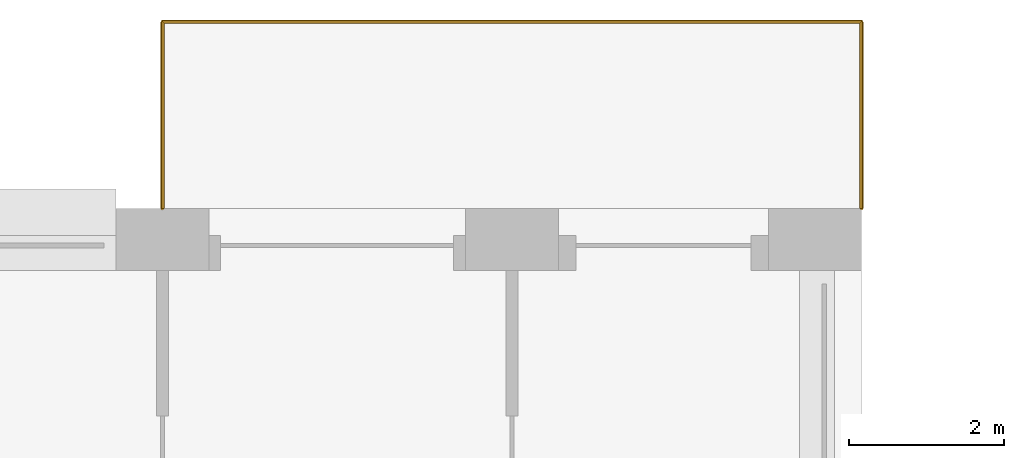
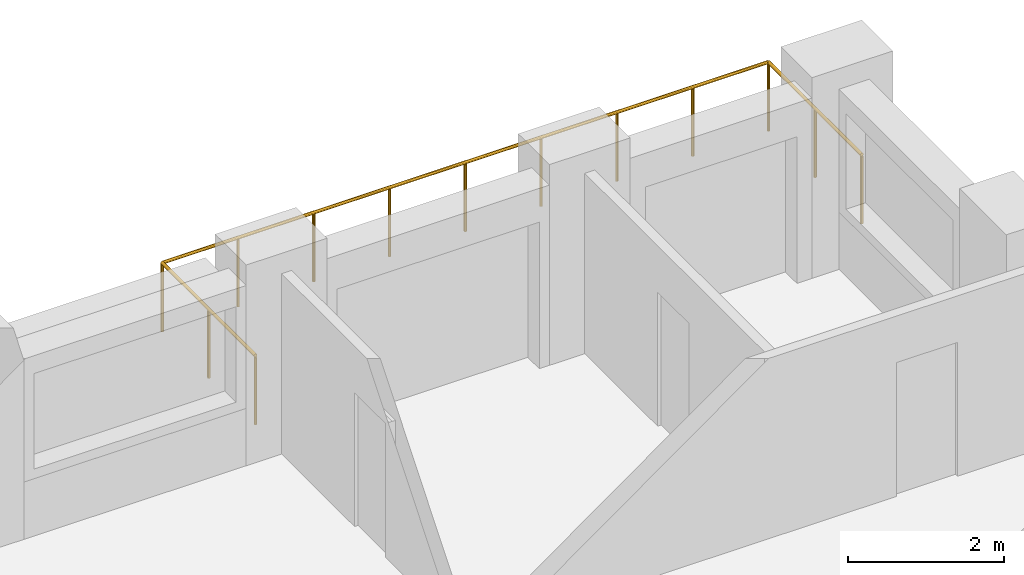
# One storey, part 21 of 21: 1 railing.
"""IFC4 building model written with IfcOpenShell, lengths in metres."""

import ifcopenshell
import ifcopenshell.guid

model = None  # the IFC model being written
_history = None  # IfcOwnerHistory: only IFC2X3 demands one
_inside = {}  # id of a spatial element -> (the spatial element, [elements in it])
_under = {}  # id of a project, library or spatial element -> (it, [spatial elements below it])
_declared = {}  # id of a project -> (the project, [libraries it declares])
_typed = {}  # id of a type object -> (the type object, [elements of that type])
_made_of = {}  # id of a material, layer set ... -> (it, [elements and type objects made of it])


def new_model(schema):
    """Start an empty IFC model of exactly this schema.

    Asked for "IFC4X3", IfcOpenShell would pick the latest addendum, in which some entities
    have other attributes; the version numbers below select the first issue.
    IFC2X3 requires an IfcOwnerHistory on every rooted entity: one is made here for all.
    """
    global model, _history
    if schema == "IFC4X3":
        model = ifcopenshell.file(schema_version=(4, 3, 0, 0))
    else:
        model = ifcopenshell.file(schema=schema)
    _inside.clear()
    _under.clear()
    _declared.clear()
    _typed.clear()
    _made_of.clear()
    _history = None
    if model.schema == "IFC2X3":
        org = make("IfcOrganization", Name="unknown")
        user = make(
            "IfcPersonAndOrganization",
            ThePerson=make("IfcPerson", FamilyName="unknown"),
            TheOrganization=org,
        )
        app = make(
            "IfcApplication",
            ApplicationDeveloper=org,
            Version="unknown",
            ApplicationFullName="unknown",
            ApplicationIdentifier="unknown",
        )
        _history = make(
            "IfcOwnerHistory",
            OwningUser=user,
            OwningApplication=app,
            ChangeAction="ADDED",
            CreationDate=0,
        )
    return model


def make(cls, **values):
    """One entity of the class cls with the attributes given. An attribute that is None is left unset."""
    return model.create_entity(
        cls, **{name: value for name, value in values.items() if value is not None}
    )


def rooted(cls, **values):
    """An entity with a GlobalId (a new one), such as an element, a storey or a relation."""
    return make(cls, GlobalId=ifcopenshell.guid.new(), OwnerHistory=_history, **values)


def si_unit(unit_type, name, prefix=None):
    """IfcSIUnit, for example si_unit("LENGTHUNIT", "METRE", prefix="MILLI")."""
    return make("IfcSIUnit", UnitType=unit_type, Prefix=prefix, Name=name)


def assignment(units):
    """IfcUnitAssignment: the units of a project."""
    return None if units is None else make("IfcUnitAssignment", Units=units)


def point(xyz):
    """IfcCartesianPoint."""
    return None if xyz is None else make("IfcCartesianPoint", Coordinates=xyz)


def direction(xyz):
    """IfcDirection."""
    return None if xyz is None else make("IfcDirection", DirectionRatios=xyz)


def frame(location, z_axis=None, x_axis=None):
    """IfcAxis2Placement3D, a coordinate frame: its origin and axes. An axis left out is left unset."""
    return make(
        "IfcAxis2Placement3D",
        Location=point(location),
        Axis=direction(z_axis),
        RefDirection=direction(x_axis),
    )


def frame_2d(location, x_axis=None):
    """IfcAxis2Placement2D, a coordinate frame in the plane: its origin and x axis."""
    return make(
        "IfcAxis2Placement2D", Location=point(location), RefDirection=direction(x_axis)
    )


def origin():
    """The frame at (0, 0, 0) with its axes left unset."""
    return frame((0.0, 0.0, 0.0))


def origin_2d():
    """The frame at (0, 0) in the plane with its x axis left unset."""
    return frame_2d((0.0, 0.0))


def place(relative_to, where):
    """IfcLocalPlacement: puts the frame where relative to a parent placement (None: the world)."""
    return make(
        "IfcLocalPlacement", PlacementRelTo=relative_to, RelativePlacement=where
    )


def context(
    kind, dimensions, precision=None, world=None, true_north=None, identifier=None
):
    """IfcGeometricRepresentationContext, for example the 3D "Model" context."""
    return make(
        "IfcGeometricRepresentationContext",
        ContextIdentifier=identifier,
        ContextType=kind,
        CoordinateSpaceDimension=dimensions,
        Precision=precision,
        WorldCoordinateSystem=world,
        TrueNorth=true_north,
    )


def subcontext(parent, identifier, kind, view, scale=None):
    """IfcGeometricRepresentationSubContext, for example "Body" below "Model"."""
    return make(
        "IfcGeometricRepresentationSubContext",
        ContextIdentifier=identifier,
        ContextType=kind,
        ParentContext=parent,
        TargetScale=scale,
        TargetView=view,
    )


def project(units=None, contexts=None):
    """IfcProject with its units and contexts."""
    return rooted(
        "IfcProject",
        Name="project",
        RepresentationContexts=contexts,
        UnitsInContext=assignment(units),
    )


def spatial(cls, under=None, at=None, **own):
    """A site, building, storey or space (cls), placed at a placement, below another one or the project."""
    s = rooted(cls, ObjectPlacement=at, **own)
    if under is not None:
        _under.setdefault(under.id(), (under, []))[1].append(s)
    return s


def profile(cls, at=None, kind="AREA", **sizes):
    """A parametric profile (cls). Its sizes go by their IFC names, for example OverallWidth=200.0."""
    return make(cls, ProfileType=kind, Position=at, **sizes)


def circle(**sizes):
    """IfcCircleProfileDef."""
    return profile("IfcCircleProfileDef", **sizes)


def extrude(swept, where, along, depth):
    """IfcExtrudedAreaSolid: the profile swept, set in the frame where, extruded along a direction by depth."""
    return make(
        "IfcExtrudedAreaSolid",
        SweptArea=swept,
        Position=where,
        ExtrudedDirection=direction(along),
        Depth=depth,
    )


def shape(context_of_items, identifier, shape_type, items):
    """IfcShapeRepresentation: the items that make up one representation, for example the "Body"."""
    return make(
        "IfcShapeRepresentation",
        ContextOfItems=context_of_items,
        RepresentationIdentifier=identifier,
        RepresentationType=shape_type,
        Items=items,
    )


def material(Name=None, Category=None):
    """IfcMaterial."""
    return make("IfcMaterial", Name=Name, Category=Category)


def made_of(thing, what):
    """Note that an element or type object is made of a material, layer set ...; save() writes the relation."""
    if what is not None:
        _made_of.setdefault(what.id(), (what, []))[1].append(thing)
    return thing


def type_object(cls, material=None, **own):
    """A type object (cls), such as IfcWallType, which elements share."""
    return made_of(rooted(cls, **own), material)


def element(
    cls,
    number,
    at=None,
    inside=None,
    cuts=None,
    type_object=None,
    material=None,
    context=None,
    identifier="Body",
    shape_type=None,
    held_by="IfcProductDefinitionShape",
    body=None,
    shapes=None,
    **own,
):
    """One element of the class cls, such as IfcWall. Its Tag is "e" and its number.

    at: its placement. inside: the storey or other place that contains it. cuts: it is an
    opening in that element (IfcRelVoidsElement). A single representation is given by context,
    identifier, shape_type and body (its items); several are given by shapes. held_by: the class
    of the entity that holds the representations. save() writes the other relations.
    """
    e = rooted(cls, Tag="e%d" % number, ObjectPlacement=at, **own)
    if body is not None:
        shapes = [shape(context, identifier, shape_type, body)]
    if shapes is not None:
        e.Representation = make(held_by, Representations=shapes)
    if inside is not None:
        _inside.setdefault(inside.id(), (inside, []))[1].append(e)
    if cuts is not None:
        rooted(
            "IfcRelVoidsElement", RelatingBuildingElement=cuts, RelatedOpeningElement=e
        )
    if type_object is not None:
        _typed.setdefault(type_object.id(), (type_object, []))[1].append(e)
    return made_of(e, material)


def aggregate(whole, parts):
    """IfcRelAggregates: a whole, such as a stair, and the parts it consists of."""
    return rooted("IfcRelAggregates", RelatingObject=whole, RelatedObjects=parts)


def save(model, path):
    """Write the relations noted so far, then the file.

    IfcRelAggregates (storeys below a building ...), IfcRelContainedInSpatialStructure (elements
    in a storey), IfcRelDefinesByType, IfcRelAssociatesMaterial and IfcRelDeclares: one each for
    every whole, place, type object, material and project.
    """
    for whole, parts in _under.values():
        aggregate(whole, parts)
    for where, things in _inside.values():
        rooted(
            "IfcRelContainedInSpatialStructure",
            RelatedElements=things,
            RelatingStructure=where,
        )
    for kind, things in _typed.values():
        rooted("IfcRelDefinesByType", RelatedObjects=things, RelatingType=kind)
    for what, things in _made_of.values():
        rooted("IfcRelAssociatesMaterial", RelatedObjects=things, RelatingMaterial=what)
    for by, libraries in _declared.values():
        rooted("IfcRelDeclares", RelatingContext=by, RelatedDefinitions=libraries)
    model.write(path)


model = new_model("IFC4")

# Units and contexts
model_context = context("Model", 3, precision=1e-05, world=origin(), true_north=direction((0.0, 1.0)))
body_context = subcontext(model_context, "Body", "Model", "MODEL_VIEW")
ifc_project = project(units=[si_unit("LENGTHUNIT", "METRE"), si_unit("AREAUNIT", "SQUARE_METRE"), si_unit("VOLUMEUNIT", "CUBIC_METRE"), si_unit("PLANEANGLEUNIT", "RADIAN"), si_unit("MASSUNIT", "GRAM", prefix="KILO")], contexts=[model_context])

# Site, building, storey
site_placement = place(None, origin())
site = spatial("IfcSite", under=ifc_project, at=site_placement, CompositionType="ELEMENT")
building_placement = place(site_placement, origin())
building = spatial("IfcBuilding", under=site, at=building_placement, Name="Brigalow Station Residences", CompositionType="ELEMENT")
storey_placement = place(building_placement, frame((0.0, 0.0, 47.85009765625)))
storey = spatial("IfcBuildingStorey", under=building, at=storey_placement, Name="L13", CompositionType="ELEMENT", Elevation=47.85009765625)

# Railing
ifc_material = material(Name="Stainless steel balustrade with laminated glass infill", Category="steel")
railing_type = type_object("IfcRailingType", Name="BALCONY GUARD 1100", PredefinedType="GUARDRAIL", material=ifc_material)
railing_placement = place(storey_placement, frame((72.0, 48.5, -0.0400390625)))
element("IfcRailing", 1, at=railing_placement, inside=storey, type_object=railing_type, Name="L13/balcony-guard/2", PredefinedType="GUARDRAIL", context=body_context, shape_type="SweptSolid", body=[
    extrude(circle(Radius=0.02392578125, at=origin_2d()), frame((0.0, 0.0, 1.076171875), z_axis=(0.0, 1.0, 0.0), x_axis=(-1.0, 0.0, 0.0)), (0.0, 0.0, 1.0), 2.39990234375),
    extrude(circle(Radius=0.02392578125, at=origin_2d()), frame((0.0, 2.39990234375, 1.076171875), z_axis=(-1.0, 0.0, 0.0), x_axis=(0.0, -1.0, 0.0)), (0.0, 0.0, 1.0), 9.0),
    extrude(circle(Radius=0.02392578125, at=origin_2d()), frame((-9.0, 2.39990234375, 1.076171875), z_axis=(0.0, -1.0, 0.0), x_axis=(1.0, 0.0, 0.0)), (0.0, 0.0, 1.0), 2.39990234375),
    extrude(circle(Radius=0.02099609375, at=origin_2d()), origin(), (0.0, 0.0, 1.0), 1.052001953125),
    extrude(circle(Radius=0.02099609375, at=origin_2d()), frame((0.0, 1.199951171875, 0.0)), (0.0, 0.0, 1.0), 1.052001953125),
    extrude(circle(Radius=0.02099609375, at=origin_2d()), frame((0.0, 2.39990234375, 0.0)), (0.0, 0.0, 1.0), 1.052001953125),
    extrude(circle(Radius=0.02099609375, at=origin_2d()), frame((-1.125, 2.39990234375, 0.0)), (0.0, 0.0, 1.0), 1.052001953125),
    extrude(circle(Radius=0.02099609375, at=origin_2d()), frame((-2.25, 2.39990234375, 0.0)), (0.0, 0.0, 1.0), 1.052001953125),
    extrude(circle(Radius=0.02099609375, at=origin_2d()), frame((-3.375, 2.39990234375, 0.0)), (0.0, 0.0, 1.0), 1.052001953125),
    extrude(circle(Radius=0.02099609375, at=origin_2d()), frame((-4.5, 2.39990234375, 0.0)), (0.0, 0.0, 1.0), 1.052001953125),
    extrude(circle(Radius=0.02099609375, at=origin_2d()), frame((-5.625, 2.39990234375, 0.0)), (0.0, 0.0, 1.0), 1.052001953125),
    extrude(circle(Radius=0.02099609375, at=origin_2d()), frame((-6.75, 2.39990234375, 0.0)), (0.0, 0.0, 1.0), 1.052001953125),
    extrude(circle(Radius=0.02099609375, at=origin_2d()), frame((-7.875, 2.39990234375, 0.0)), (0.0, 0.0, 1.0), 1.052001953125),
    extrude(circle(Radius=0.02099609375, at=origin_2d()), frame((-9.0, 2.39990234375, 0.0)), (0.0, 0.0, 1.0), 1.052001953125),
    extrude(circle(Radius=0.02099609375, at=origin_2d()), frame((-9.0, 1.199951171875, 0.0)), (0.0, 0.0, 1.0), 1.052001953125),
    extrude(circle(Radius=0.02099609375, at=origin_2d()), frame((-9.0, 0.0, 0.0)), (0.0, 0.0, 1.0), 1.052001953125),
])

save(model, "model.ifc")
